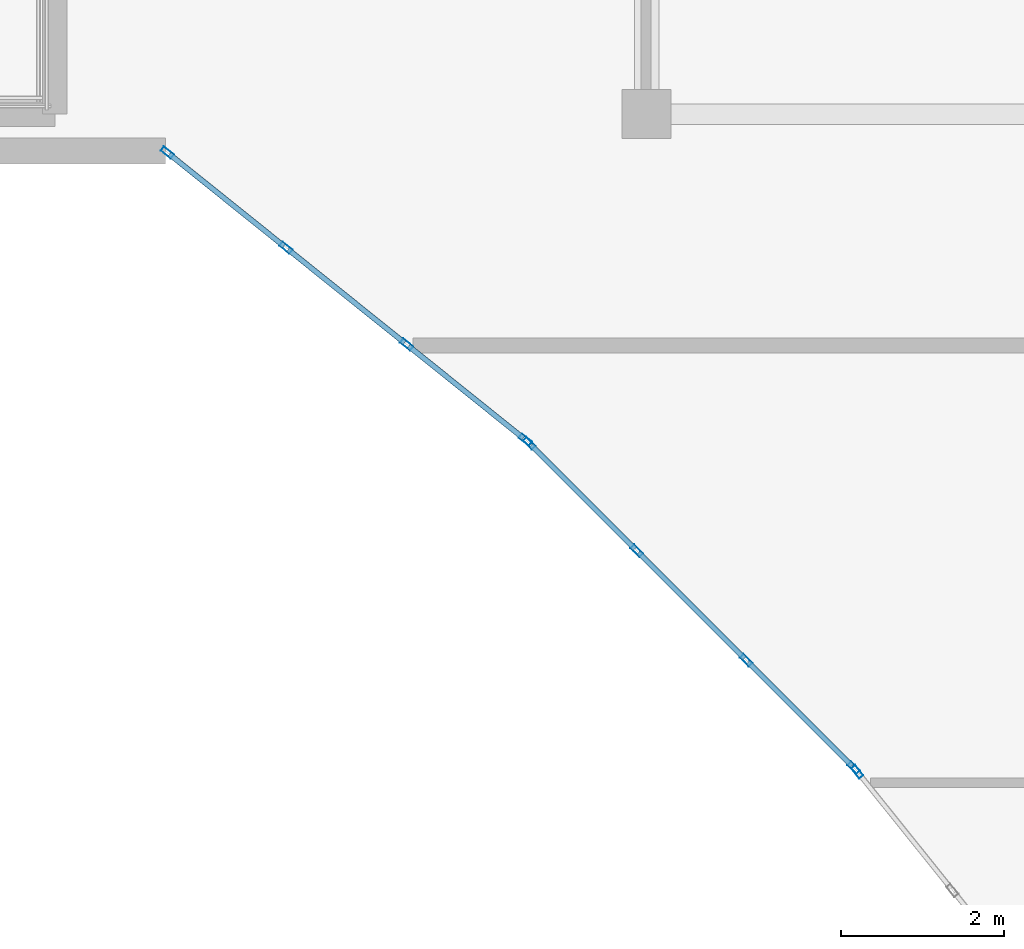
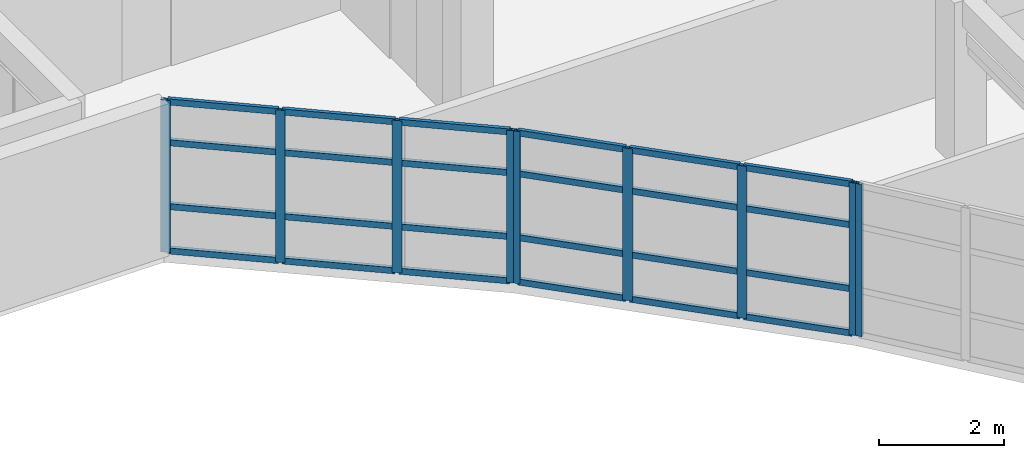
# One storey, part 19 of 76: 33 members, 3 elements without a shape of their own.
"""IFC4 building model written with IfcOpenShell, lengths in metres."""

import ifcopenshell
import ifcopenshell.guid

model = None  # the IFC model being written
_history = None  # IfcOwnerHistory: only IFC2X3 demands one
_inside = {}  # id of a spatial element -> (the spatial element, [elements in it])
_under = {}  # id of a project, library or spatial element -> (it, [spatial elements below it])
_declared = {}  # id of a project -> (the project, [libraries it declares])
_typed = {}  # id of a type object -> (the type object, [elements of that type])
_made_of = {}  # id of a material, layer set ... -> (it, [elements and type objects made of it])


def new_model(schema):
    """Start an empty IFC model of exactly this schema.

    Asked for "IFC4X3", IfcOpenShell would pick the latest addendum, in which some entities
    have other attributes; the version numbers below select the first issue.
    IFC2X3 requires an IfcOwnerHistory on every rooted entity: one is made here for all.
    """
    global model, _history
    if schema == "IFC4X3":
        model = ifcopenshell.file(schema_version=(4, 3, 0, 0))
    else:
        model = ifcopenshell.file(schema=schema)
    _inside.clear()
    _under.clear()
    _declared.clear()
    _typed.clear()
    _made_of.clear()
    _history = None
    if model.schema == "IFC2X3":
        org = make("IfcOrganization", Name="unknown")
        user = make(
            "IfcPersonAndOrganization",
            ThePerson=make("IfcPerson", FamilyName="unknown"),
            TheOrganization=org,
        )
        app = make(
            "IfcApplication",
            ApplicationDeveloper=org,
            Version="unknown",
            ApplicationFullName="unknown",
            ApplicationIdentifier="unknown",
        )
        _history = make(
            "IfcOwnerHistory",
            OwningUser=user,
            OwningApplication=app,
            ChangeAction="ADDED",
            CreationDate=0,
        )
    return model


def make(cls, **values):
    """One entity of the class cls with the attributes given. An attribute that is None is left unset."""
    return model.create_entity(
        cls, **{name: value for name, value in values.items() if value is not None}
    )


def rooted(cls, **values):
    """An entity with a GlobalId (a new one), such as an element, a storey or a relation."""
    return make(cls, GlobalId=ifcopenshell.guid.new(), OwnerHistory=_history, **values)


def si_unit(unit_type, name, prefix=None):
    """IfcSIUnit, for example si_unit("LENGTHUNIT", "METRE", prefix="MILLI")."""
    return make("IfcSIUnit", UnitType=unit_type, Prefix=prefix, Name=name)


def assignment(units):
    """IfcUnitAssignment: the units of a project."""
    return None if units is None else make("IfcUnitAssignment", Units=units)


def point(xyz):
    """IfcCartesianPoint."""
    return None if xyz is None else make("IfcCartesianPoint", Coordinates=xyz)


def direction(xyz):
    """IfcDirection."""
    return None if xyz is None else make("IfcDirection", DirectionRatios=xyz)


def frame(location, z_axis=None, x_axis=None):
    """IfcAxis2Placement3D, a coordinate frame: its origin and axes. An axis left out is left unset."""
    return make(
        "IfcAxis2Placement3D",
        Location=point(location),
        Axis=direction(z_axis),
        RefDirection=direction(x_axis),
    )


def frame_2d(location, x_axis=None):
    """IfcAxis2Placement2D, a coordinate frame in the plane: its origin and x axis."""
    return make(
        "IfcAxis2Placement2D", Location=point(location), RefDirection=direction(x_axis)
    )


def origin():
    """The frame at (0, 0, 0) with its axes left unset."""
    return frame((0.0, 0.0, 0.0))


def origin_2d():
    """The frame at (0, 0) in the plane with its x axis left unset."""
    return frame_2d((0.0, 0.0))


def place(relative_to, where):
    """IfcLocalPlacement: puts the frame where relative to a parent placement (None: the world)."""
    return make(
        "IfcLocalPlacement", PlacementRelTo=relative_to, RelativePlacement=where
    )


def context(
    kind, dimensions, precision=None, world=None, true_north=None, identifier=None
):
    """IfcGeometricRepresentationContext, for example the 3D "Model" context."""
    return make(
        "IfcGeometricRepresentationContext",
        ContextIdentifier=identifier,
        ContextType=kind,
        CoordinateSpaceDimension=dimensions,
        Precision=precision,
        WorldCoordinateSystem=world,
        TrueNorth=true_north,
    )


def subcontext(parent, identifier, kind, view, scale=None):
    """IfcGeometricRepresentationSubContext, for example "Body" below "Model"."""
    return make(
        "IfcGeometricRepresentationSubContext",
        ContextIdentifier=identifier,
        ContextType=kind,
        ParentContext=parent,
        TargetScale=scale,
        TargetView=view,
    )


def project(units=None, contexts=None):
    """IfcProject with its units and contexts."""
    return rooted(
        "IfcProject",
        Name="project",
        RepresentationContexts=contexts,
        UnitsInContext=assignment(units),
    )


def spatial(cls, under=None, at=None, **own):
    """A site, building, storey or space (cls), placed at a placement, below another one or the project."""
    s = rooted(cls, ObjectPlacement=at, **own)
    if under is not None:
        _under.setdefault(under.id(), (under, []))[1].append(s)
    return s


def profile(cls, at=None, kind="AREA", **sizes):
    """A parametric profile (cls). Its sizes go by their IFC names, for example OverallWidth=200.0."""
    return make(cls, ProfileType=kind, Position=at, **sizes)


def hollow_rectangle(**sizes):
    """IfcRectangleHollowProfileDef."""
    return profile("IfcRectangleHollowProfileDef", **sizes)


def extrude(swept, where, along, depth):
    """IfcExtrudedAreaSolid: the profile swept, set in the frame where, extruded along a direction by depth."""
    return make(
        "IfcExtrudedAreaSolid",
        SweptArea=swept,
        Position=where,
        ExtrudedDirection=direction(along),
        Depth=depth,
    )


def shape(context_of_items, identifier, shape_type, items):
    """IfcShapeRepresentation: the items that make up one representation, for example the "Body"."""
    return make(
        "IfcShapeRepresentation",
        ContextOfItems=context_of_items,
        RepresentationIdentifier=identifier,
        RepresentationType=shape_type,
        Items=items,
    )


def material(Name=None, Category=None):
    """IfcMaterial."""
    return make("IfcMaterial", Name=Name, Category=Category)


def layer(
    of_material, thickness, ventilated=None, Name=None, Category=None, Priority=None
):
    """IfcMaterialLayer: one layer of a wall or slab, of a material (None: an air gap)."""
    return make(
        "IfcMaterialLayer",
        Material=of_material,
        LayerThickness=thickness,
        IsVentilated=ventilated,
        Name=Name,
        Category=Category,
        Priority=Priority,
    )


def layer_set(layers, Name=None):
    """IfcMaterialLayerSet."""
    return make("IfcMaterialLayerSet", MaterialLayers=layers, LayerSetName=Name)


def material_profile(
    of_material, cross_section, Name=None, Category=None, Priority=None
):
    """IfcMaterialProfile: a cross section and its material."""
    return make(
        "IfcMaterialProfile",
        Name=Name,
        Material=of_material,
        Profile=cross_section,
        Priority=Priority,
        Category=Category,
    )


def profile_set(profiles, Name=None, composite=None):
    """IfcMaterialProfileSet."""
    return make(
        "IfcMaterialProfileSet",
        Name=Name,
        MaterialProfiles=profiles,
        CompositeProfile=composite,
    )


def made_of(thing, what):
    """Note that an element or type object is made of a material, layer set ...; save() writes the relation."""
    if what is not None:
        _made_of.setdefault(what.id(), (what, []))[1].append(thing)
    return thing


def type_object(cls, material=None, **own):
    """A type object (cls), such as IfcWallType, which elements share."""
    return made_of(rooted(cls, **own), material)


def element(
    cls,
    number,
    at=None,
    inside=None,
    cuts=None,
    type_object=None,
    material=None,
    context=None,
    identifier="Body",
    shape_type=None,
    held_by="IfcProductDefinitionShape",
    body=None,
    shapes=None,
    **own,
):
    """One element of the class cls, such as IfcWall. Its Tag is "e" and its number.

    at: its placement. inside: the storey or other place that contains it. cuts: it is an
    opening in that element (IfcRelVoidsElement). A single representation is given by context,
    identifier, shape_type and body (its items); several are given by shapes. held_by: the class
    of the entity that holds the representations. save() writes the other relations.
    """
    e = rooted(cls, Tag="e%d" % number, ObjectPlacement=at, **own)
    if body is not None:
        shapes = [shape(context, identifier, shape_type, body)]
    if shapes is not None:
        e.Representation = make(held_by, Representations=shapes)
    if inside is not None:
        _inside.setdefault(inside.id(), (inside, []))[1].append(e)
    if cuts is not None:
        rooted(
            "IfcRelVoidsElement", RelatingBuildingElement=cuts, RelatedOpeningElement=e
        )
    if type_object is not None:
        _typed.setdefault(type_object.id(), (type_object, []))[1].append(e)
    return made_of(e, material)


def aggregate(whole, parts):
    """IfcRelAggregates: a whole, such as a stair, and the parts it consists of."""
    return rooted("IfcRelAggregates", RelatingObject=whole, RelatedObjects=parts)


def save(model, path):
    """Write the relations noted so far, then the file.

    IfcRelAggregates (storeys below a building ...), IfcRelContainedInSpatialStructure (elements
    in a storey), IfcRelDefinesByType, IfcRelAssociatesMaterial and IfcRelDeclares: one each for
    every whole, place, type object, material and project.
    """
    for whole, parts in _under.values():
        aggregate(whole, parts)
    for where, things in _inside.values():
        rooted(
            "IfcRelContainedInSpatialStructure",
            RelatedElements=things,
            RelatingStructure=where,
        )
    for kind, things in _typed.values():
        rooted("IfcRelDefinesByType", RelatedObjects=things, RelatingType=kind)
    for what, things in _made_of.values():
        rooted("IfcRelAssociatesMaterial", RelatedObjects=things, RelatingMaterial=what)
    for by, libraries in _declared.values():
        rooted("IfcRelDeclares", RelatingContext=by, RelatedDefinitions=libraries)
    model.write(path)


model = new_model("IFC4")

# Units and contexts
model_context = context("Model", 3, precision=1e-05, world=origin(), true_north=direction((0.0, 1.0)))
body_context = subcontext(model_context, "Body", "Model", "MODEL_VIEW")
ifc_project = project(units=[si_unit("LENGTHUNIT", "METRE"), si_unit("AREAUNIT", "SQUARE_METRE"), si_unit("VOLUMEUNIT", "CUBIC_METRE"), si_unit("PLANEANGLEUNIT", "RADIAN"), si_unit("MASSUNIT", "GRAM", prefix="KILO")], contexts=[model_context])

# Site, building, storey
site_placement = place(None, origin())
site = spatial("IfcSite", under=ifc_project, at=site_placement, CompositionType="ELEMENT")
building_placement = place(site_placement, origin())
building = spatial("IfcBuilding", under=site, at=building_placement, Name="Keldmere Railside Commons", CompositionType="ELEMENT")
storey_placement = place(building_placement, frame((0.0, 0.0, 13.760009765625)))
storey = spatial("IfcBuildingStorey", under=building, at=storey_placement, Name="L04", CompositionType="ELEMENT", Elevation=13.760009765625)

# Curtain wall, members
ifc_material = material(Name="Thermally Broken Aluminium", Category="aluminium")
ifc_layer_1 = layer(ifc_material, 0.159912109375, Name="Court Chord Wintergarden CW 5400x2850")
ifc_layer_set_1 = layer_set([ifc_layer_1], Name="Thermally Broken Aluminium")
curtain_wall_type_1 = type_object("IfcCurtainWallType", Name="Court Chord Wintergarden CW 5400x2850", PredefinedType="NOTDEFINED", material=ifc_layer_set_1)
curtain_wall_1_placement = place(storey_placement, origin())
curtain_wall_1 = element("IfcCurtainWall", 1, at=curtain_wall_1_placement, inside=storey, type_object=curtain_wall_type_1, Name="CW-13 CW-L04-169", PredefinedType="NOTDEFINED")
ifc_material_profile_1 = material_profile(ifc_material, hollow_rectangle(XDim=0.06494140625, YDim=0.159912109375, WallThickness=0.00390625, at=origin_2d()), Name="ALU-MULL-65x160")
ifc_profile_set_1 = profile_set([ifc_material_profile_1], Name="Thermally Broken Aluminium")
member_type_1 = type_object("IfcMemberType", Name="Unitised Curtain Wall Mullion 65x160", PredefinedType="MULLION", material=ifc_profile_set_1)
member_1_placement = place(storey_placement, frame((160.404541015625, 96.46630859375, 0.0), z_axis=(0.0, 0.0, 1.0), x_axis=(-0.625768080915, -0.780009172323, 0.0)))
member_1 = element("IfcMember", 2, at=member_1_placement, type_object=member_type_1, Name="CW-13 mullion 1", PredefinedType="MULLION", context=body_context, shape_type="SweptSolid", body=[
    extrude(hollow_rectangle(XDim=0.06494140625, YDim=0.159912109375, WallThickness=0.00390625, at=origin_2d()), origin(), (0.0, 0.0, 1.0), 2.97998046875),
])
member_2_placement = place(storey_placement, frame((158.953369140625, 97.630615234375, 0.0), z_axis=(0.0, 0.0, 1.0), x_axis=(-0.625768080915, -0.780009172323, 0.0)))
member_2 = element("IfcMember", 3, at=member_2_placement, type_object=member_type_1, Name="CW-13 mullion 2", PredefinedType="MULLION", context=body_context, shape_type="SweptSolid", body=[
    extrude(hollow_rectangle(XDim=0.06494140625, YDim=0.159912109375, WallThickness=0.00390625, at=origin_2d()), origin(), (0.0, 0.0, 1.0), 2.97998046875),
])
member_3_placement = place(storey_placement, frame((157.4765625, 98.8154296875, 0.0), z_axis=(0.0, 0.0, 1.0), x_axis=(-0.625768080915, -0.780009172323, 0.0)))
member_3 = element("IfcMember", 4, at=member_3_placement, type_object=member_type_1, Name="CW-13 mullion 3", PredefinedType="MULLION", context=body_context, shape_type="SweptSolid", body=[
    extrude(hollow_rectangle(XDim=0.06494140625, YDim=0.159912109375, WallThickness=0.00390625, at=origin_2d()), origin(), (0.0, 0.0, 1.0), 2.97998046875),
])
member_4_placement = place(storey_placement, frame((156.025390625, 99.979736328125, 0.0), z_axis=(0.0, 0.0, 1.0), x_axis=(-0.625768080915, -0.780009172323, 0.0)))
member_4 = element("IfcMember", 5, at=member_4_placement, type_object=member_type_1, Name="CW-13 mullion 4", PredefinedType="MULLION", context=body_context, shape_type="SweptSolid", body=[
    extrude(hollow_rectangle(XDim=0.06494140625, YDim=0.159912109375, WallThickness=0.00390625, at=origin_2d()), origin(), (0.0, 0.0, 1.0), 2.97998046875),
])

ifc_layer_2 = layer(ifc_material, 0.159912109375, Name="Court Chord Wintergarden CW 4800x2850")
ifc_layer_set_2 = layer_set([ifc_layer_2], Name="Thermally Broken Aluminium")
curtain_wall_type_2 = type_object("IfcCurtainWallType", Name="Court Chord Wintergarden CW 4800x2850", PredefinedType="NOTDEFINED", material=ifc_layer_set_2)
curtain_wall_2_placement = place(storey_placement, origin())
curtain_wall_2 = element("IfcCurtainWall", 6, at=curtain_wall_2_placement, inside=storey, type_object=curtain_wall_type_2, Name="CW-12 CW-L04-170", PredefinedType="NOTDEFINED")
member_5_placement = place(storey_placement, frame((164.423095703125, 92.452880859375, 0.0), z_axis=(0.0, 0.0, 1.0), x_axis=(-0.707106781187, -0.707106781187, 0.0)))
member_5 = element("IfcMember", 7, at=member_5_placement, type_object=member_type_1, Name="CW-12 mullion 1", PredefinedType="MULLION", context=body_context, shape_type="SweptSolid", body=[
    extrude(hollow_rectangle(XDim=0.06494140625, YDim=0.159912109375, WallThickness=0.00390625, at=origin_2d()), origin(), (0.0, 0.0, 1.0), 2.97998046875),
])
member_6_placement = place(storey_placement, frame((163.107421875, 93.7685546875, 0.0), z_axis=(0.0, 0.0, 1.0), x_axis=(-0.707106781187, -0.707106781187, 0.0)))
member_6 = element("IfcMember", 8, at=member_6_placement, type_object=member_type_1, Name="CW-12 mullion 2", PredefinedType="MULLION", context=body_context, shape_type="SweptSolid", body=[
    extrude(hollow_rectangle(XDim=0.06494140625, YDim=0.159912109375, WallThickness=0.00390625, at=origin_2d()), origin(), (0.0, 0.0, 1.0), 2.97998046875),
])
member_7_placement = place(storey_placement, frame((161.7685546875, 95.107421875, 0.0), z_axis=(0.0, 0.0, 1.0), x_axis=(-0.707106781187, -0.707106781187, 0.0)))
member_7 = element("IfcMember", 9, at=member_7_placement, type_object=member_type_1, Name="CW-12 mullion 3", PredefinedType="MULLION", context=body_context, shape_type="SweptSolid", body=[
    extrude(hollow_rectangle(XDim=0.06494140625, YDim=0.159912109375, WallThickness=0.00390625, at=origin_2d()), origin(), (0.0, 0.0, 1.0), 2.97998046875),
])
member_8_placement = place(storey_placement, frame((160.452880859375, 96.423095703125, 0.0), z_axis=(0.0, 0.0, 1.0), x_axis=(-0.707106781187, -0.707106781187, 0.0)))
member_8 = element("IfcMember", 10, at=member_8_placement, type_object=member_type_1, Name="CW-12 mullion 4", PredefinedType="MULLION", context=body_context, shape_type="SweptSolid", body=[
    extrude(hollow_rectangle(XDim=0.06494140625, YDim=0.159912109375, WallThickness=0.00390625, at=origin_2d()), origin(), (0.0, 0.0, 1.0), 2.97998046875),
])

# Curtain wall, member
curtain_wall_3_placement = place(storey_placement, origin())
curtain_wall_3 = element("IfcCurtainWall", 11, at=curtain_wall_3_placement, inside=storey, type_object=curtain_wall_type_1, Name="CW-13 CW-L04-171", PredefinedType="NOTDEFINED")
member_9_placement = place(storey_placement, frame((164.46630859375, 92.404541015625, 0.0), z_axis=(0.0, 0.0, 1.0), x_axis=(-0.780009172323, -0.625768080915, 0.0)))
member_9 = element("IfcMember", 12, at=member_9_placement, type_object=member_type_1, Name="CW-13 mullion 4", PredefinedType="MULLION", context=body_context, shape_type="SweptSolid", body=[
    extrude(hollow_rectangle(XDim=0.06494140625, YDim=0.159912109375, WallThickness=0.00390625, at=origin_2d()), origin(), (0.0, 0.0, 1.0), 2.97998046875),
])
aggregate(curtain_wall_3, [member_9])

# Member
ifc_material_profile_2 = material_profile(ifc_material, hollow_rectangle(XDim=0.06494140625, YDim=0.1201171875, WallThickness=0.00390625, at=origin_2d()), Name="ALU-TRAN-65x120")
ifc_profile_set_2 = profile_set([ifc_material_profile_2], Name="Thermally Broken Aluminium")
member_type_2 = type_object("IfcMemberType", Name="Unitised Curtain Wall Transom 65x120", PredefinedType="USERDEFINED", material=ifc_profile_set_2)
member_10_placement = place(storey_placement, frame((160.37939453125, 96.486572265625, 0.032470703125), z_axis=(-0.779979331565, 0.625805275091, 0.0), x_axis=(-0.625805275091, -0.779979331565, 0.0)))
member_10 = element("IfcMember", 13, at=member_10_placement, type_object=member_type_2, Name="CW-13 transom 1.1", ObjectType="TRANSOM", PredefinedType="USERDEFINED", context=body_context, shape_type="SweptSolid", body=[
    extrude(hollow_rectangle(XDim=0.06494140625, YDim=0.1201171875, WallThickness=0.00390625, at=origin_2d()), origin(), (0.0, 0.0, 1.0), 1.795654296875),
])

member_11_placement = place(storey_placement, frame((160.37939453125, 96.486572265625, 0.89990234375), z_axis=(-0.779979331565, 0.625805275091, 0.0), x_axis=(-0.625805275091, -0.779979331565, 0.0)))
member_11 = element("IfcMember", 14, at=member_11_placement, type_object=member_type_2, Name="CW-13 transom 1.2", ObjectType="TRANSOM", PredefinedType="USERDEFINED", context=body_context, shape_type="SweptSolid", body=[
    extrude(hollow_rectangle(XDim=0.06494140625, YDim=0.1201171875, WallThickness=0.00390625, at=origin_2d()), origin(), (0.0, 0.0, 1.0), 1.795654296875),
])

member_12_placement = place(storey_placement, frame((160.37939453125, 96.486572265625, 2.14990234375), z_axis=(-0.779979331565, 0.625805275091, 0.0), x_axis=(-0.625805275091, -0.779979331565, 0.0)))
member_12 = element("IfcMember", 15, at=member_12_placement, type_object=member_type_2, Name="CW-13 transom 1.3", ObjectType="TRANSOM", PredefinedType="USERDEFINED", context=body_context, shape_type="SweptSolid", body=[
    extrude(hollow_rectangle(XDim=0.06494140625, YDim=0.1201171875, WallThickness=0.00390625, at=origin_2d()), origin(), (0.0, 0.0, 1.0), 1.795654296875),
])

member_13_placement = place(storey_placement, frame((160.37939453125, 96.486572265625, 2.947509765625), z_axis=(-0.779979331565, 0.625805275091, 0.0), x_axis=(-0.625805275091, -0.779979331565, 0.0)))
member_13 = element("IfcMember", 16, at=member_13_placement, type_object=member_type_2, Name="CW-13 transom 1.4", ObjectType="TRANSOM", PredefinedType="USERDEFINED", context=body_context, shape_type="SweptSolid", body=[
    extrude(hollow_rectangle(XDim=0.06494140625, YDim=0.1201171875, WallThickness=0.00390625, at=origin_2d()), origin(), (0.0, 0.0, 1.0), 1.795654296875),
])

member_14_placement = place(storey_placement, frame((158.927978515625, 97.651123046875, 0.032470703125), z_axis=(-0.78007338409, 0.625688033635, 0.0), x_axis=(-0.625688033635, -0.78007338409, 0.0)))
member_14 = element("IfcMember", 17, at=member_14_placement, type_object=member_type_2, Name="CW-13 transom 2.1", ObjectType="TRANSOM", PredefinedType="USERDEFINED", context=body_context, shape_type="SweptSolid", body=[
    extrude(hollow_rectangle(XDim=0.06494140625, YDim=0.1201171875, WallThickness=0.00390625, at=origin_2d()), origin(), (0.0, 0.0, 1.0), 1.828125),
])

member_15_placement = place(storey_placement, frame((158.927978515625, 97.651123046875, 0.89990234375), z_axis=(-0.78007338409, 0.625688033635, 0.0), x_axis=(-0.625688033635, -0.78007338409, 0.0)))
member_15 = element("IfcMember", 18, at=member_15_placement, type_object=member_type_2, Name="CW-13 transom 2.2", ObjectType="TRANSOM", PredefinedType="USERDEFINED", context=body_context, shape_type="SweptSolid", body=[
    extrude(hollow_rectangle(XDim=0.06494140625, YDim=0.1201171875, WallThickness=0.00390625, at=origin_2d()), origin(), (0.0, 0.0, 1.0), 1.828125),
])

member_16_placement = place(storey_placement, frame((158.927978515625, 97.651123046875, 2.14990234375), z_axis=(-0.78007338409, 0.625688033635, 0.0), x_axis=(-0.625688033635, -0.78007338409, 0.0)))
member_16 = element("IfcMember", 19, at=member_16_placement, type_object=member_type_2, Name="CW-13 transom 2.3", ObjectType="TRANSOM", PredefinedType="USERDEFINED", context=body_context, shape_type="SweptSolid", body=[
    extrude(hollow_rectangle(XDim=0.06494140625, YDim=0.1201171875, WallThickness=0.00390625, at=origin_2d()), origin(), (0.0, 0.0, 1.0), 1.828125),
])

member_17_placement = place(storey_placement, frame((158.927978515625, 97.651123046875, 2.947509765625), z_axis=(-0.78007338409, 0.625688033635, 0.0), x_axis=(-0.625688033635, -0.78007338409, 0.0)))
member_17 = element("IfcMember", 20, at=member_17_placement, type_object=member_type_2, Name="CW-13 transom 2.4", ObjectType="TRANSOM", PredefinedType="USERDEFINED", context=body_context, shape_type="SweptSolid", body=[
    extrude(hollow_rectangle(XDim=0.06494140625, YDim=0.1201171875, WallThickness=0.00390625, at=origin_2d()), origin(), (0.0, 0.0, 1.0), 1.828125),
])

member_18_placement = place(storey_placement, frame((157.451416015625, 98.835693359375, 0.032470703125), z_axis=(-0.780045694992, 0.625722553313, 0.0), x_axis=(-0.625722553313, -0.780045694992, 0.0)))
member_18 = element("IfcMember", 21, at=member_18_placement, type_object=member_type_2, Name="CW-13 transom 3.1", ObjectType="TRANSOM", PredefinedType="USERDEFINED", context=body_context, shape_type="SweptSolid", body=[
    extrude(hollow_rectangle(XDim=0.06494140625, YDim=0.1201171875, WallThickness=0.00390625, at=origin_2d()), origin(), (0.0, 0.0, 1.0), 1.795654296875),
])

member_19_placement = place(storey_placement, frame((157.451416015625, 98.835693359375, 0.89990234375), z_axis=(-0.780045694992, 0.625722553313, 0.0), x_axis=(-0.625722553313, -0.780045694992, 0.0)))
member_19 = element("IfcMember", 22, at=member_19_placement, type_object=member_type_2, Name="CW-13 transom 3.2", ObjectType="TRANSOM", PredefinedType="USERDEFINED", context=body_context, shape_type="SweptSolid", body=[
    extrude(hollow_rectangle(XDim=0.06494140625, YDim=0.1201171875, WallThickness=0.00390625, at=origin_2d()), origin(), (0.0, 0.0, 1.0), 1.795654296875),
])

member_20_placement = place(storey_placement, frame((157.451416015625, 98.835693359375, 2.14990234375), z_axis=(-0.780045694992, 0.625722553313, 0.0), x_axis=(-0.625722553313, -0.780045694992, 0.0)))
member_20 = element("IfcMember", 23, at=member_20_placement, type_object=member_type_2, Name="CW-13 transom 3.3", ObjectType="TRANSOM", PredefinedType="USERDEFINED", context=body_context, shape_type="SweptSolid", body=[
    extrude(hollow_rectangle(XDim=0.06494140625, YDim=0.1201171875, WallThickness=0.00390625, at=origin_2d()), origin(), (0.0, 0.0, 1.0), 1.795654296875),
])

member_21_placement = place(storey_placement, frame((157.451416015625, 98.835693359375, 2.947509765625), z_axis=(-0.780045694992, 0.625722553313, 0.0), x_axis=(-0.625722553313, -0.780045694992, 0.0)))
member_21 = element("IfcMember", 24, at=member_21_placement, type_object=member_type_2, Name="CW-13 transom 3.4", ObjectType="TRANSOM", PredefinedType="USERDEFINED", context=body_context, shape_type="SweptSolid", body=[
    extrude(hollow_rectangle(XDim=0.06494140625, YDim=0.1201171875, WallThickness=0.00390625, at=origin_2d()), origin(), (0.0, 0.0, 1.0), 1.795654296875),
])

aggregate(curtain_wall_1, [member_1, member_2, member_3, member_4, member_10, member_11, member_12, member_13, member_14, member_15, member_16, member_17, member_18, member_19, member_20, member_21])

member_22_placement = place(storey_placement, frame((164.400146484375, 92.47607421875, 0.032470703125), z_axis=(-0.707174762418, 0.707038793419, 0.0), x_axis=(-0.707038793419, -0.707174762418, 0.0)))
member_22 = element("IfcMember", 25, at=member_22_placement, type_object=member_type_2, Name="CW-12 transom 1.1", ObjectType="TRANSOM", PredefinedType="USERDEFINED", context=body_context, shape_type="SweptSolid", body=[
    extrude(hollow_rectangle(XDim=0.06494140625, YDim=0.1201171875, WallThickness=0.00390625, at=origin_2d()), origin(), (0.0, 0.0, 1.0), 1.795654296875),
])

member_23_placement = place(storey_placement, frame((164.400146484375, 92.47607421875, 0.89990234375), z_axis=(-0.707174762418, 0.707038793419, 0.0), x_axis=(-0.707038793419, -0.707174762418, 0.0)))
member_23 = element("IfcMember", 26, at=member_23_placement, type_object=member_type_2, Name="CW-12 transom 1.2", ObjectType="TRANSOM", PredefinedType="USERDEFINED", context=body_context, shape_type="SweptSolid", body=[
    extrude(hollow_rectangle(XDim=0.06494140625, YDim=0.1201171875, WallThickness=0.00390625, at=origin_2d()), origin(), (0.0, 0.0, 1.0), 1.795654296875),
])

member_24_placement = place(storey_placement, frame((164.400146484375, 92.47607421875, 2.14990234375), z_axis=(-0.707174762418, 0.707038793419, 0.0), x_axis=(-0.707038793419, -0.707174762418, 0.0)))
member_24 = element("IfcMember", 27, at=member_24_placement, type_object=member_type_2, Name="CW-12 transom 1.3", ObjectType="TRANSOM", PredefinedType="USERDEFINED", context=body_context, shape_type="SweptSolid", body=[
    extrude(hollow_rectangle(XDim=0.06494140625, YDim=0.1201171875, WallThickness=0.00390625, at=origin_2d()), origin(), (0.0, 0.0, 1.0), 1.795654296875),
])

member_25_placement = place(storey_placement, frame((164.400146484375, 92.47607421875, 2.947509765625), z_axis=(-0.707174762418, 0.707038793419, 0.0), x_axis=(-0.707038793419, -0.707174762418, 0.0)))
member_25 = element("IfcMember", 28, at=member_25_placement, type_object=member_type_2, Name="CW-12 transom 1.4", ObjectType="TRANSOM", PredefinedType="USERDEFINED", context=body_context, shape_type="SweptSolid", body=[
    extrude(hollow_rectangle(XDim=0.06494140625, YDim=0.1201171875, WallThickness=0.00390625, at=origin_2d()), origin(), (0.0, 0.0, 1.0), 1.795654296875),
])

member_26_placement = place(storey_placement, frame((163.08447265625, 93.791748046875, 0.032470703125), z_axis=(-0.707106781187, 0.707106781187, 0.0), x_axis=(-0.707106781187, -0.707106781187, 0.0)))
member_26 = element("IfcMember", 29, at=member_26_placement, type_object=member_type_2, Name="CW-12 transom 2.1", ObjectType="TRANSOM", PredefinedType="USERDEFINED", context=body_context, shape_type="SweptSolid", body=[
    extrude(hollow_rectangle(XDim=0.06494140625, YDim=0.1201171875, WallThickness=0.00390625, at=origin_2d()), origin(), (0.0, 0.0, 1.0), 1.828125),
])

member_27_placement = place(storey_placement, frame((163.08447265625, 93.791748046875, 0.89990234375), z_axis=(-0.707106781187, 0.707106781187, 0.0), x_axis=(-0.707106781187, -0.707106781187, 0.0)))
member_27 = element("IfcMember", 30, at=member_27_placement, type_object=member_type_2, Name="CW-12 transom 2.2", ObjectType="TRANSOM", PredefinedType="USERDEFINED", context=body_context, shape_type="SweptSolid", body=[
    extrude(hollow_rectangle(XDim=0.06494140625, YDim=0.1201171875, WallThickness=0.00390625, at=origin_2d()), origin(), (0.0, 0.0, 1.0), 1.828125),
])

member_28_placement = place(storey_placement, frame((163.08447265625, 93.791748046875, 2.14990234375), z_axis=(-0.707106781187, 0.707106781187, 0.0), x_axis=(-0.707106781187, -0.707106781187, 0.0)))
member_28 = element("IfcMember", 31, at=member_28_placement, type_object=member_type_2, Name="CW-12 transom 2.3", ObjectType="TRANSOM", PredefinedType="USERDEFINED", context=body_context, shape_type="SweptSolid", body=[
    extrude(hollow_rectangle(XDim=0.06494140625, YDim=0.1201171875, WallThickness=0.00390625, at=origin_2d()), origin(), (0.0, 0.0, 1.0), 1.828125),
])

member_29_placement = place(storey_placement, frame((163.08447265625, 93.791748046875, 2.947509765625), z_axis=(-0.707106781187, 0.707106781187, 0.0), x_axis=(-0.707106781187, -0.707106781187, 0.0)))
member_29 = element("IfcMember", 32, at=member_29_placement, type_object=member_type_2, Name="CW-12 transom 2.4", ObjectType="TRANSOM", PredefinedType="USERDEFINED", context=body_context, shape_type="SweptSolid", body=[
    extrude(hollow_rectangle(XDim=0.06494140625, YDim=0.1201171875, WallThickness=0.00390625, at=origin_2d()), origin(), (0.0, 0.0, 1.0), 1.828125),
])

member_30_placement = place(storey_placement, frame((161.74560546875, 95.13037109375, 0.032470703125), z_axis=(-0.707038793419, 0.707174762418, 0.0), x_axis=(-0.707174762418, -0.707038793419, 0.0)))
member_30 = element("IfcMember", 33, at=member_30_placement, type_object=member_type_2, Name="CW-12 transom 3.1", ObjectType="TRANSOM", PredefinedType="USERDEFINED", context=body_context, shape_type="SweptSolid", body=[
    extrude(hollow_rectangle(XDim=0.06494140625, YDim=0.1201171875, WallThickness=0.00390625, at=origin_2d()), origin(), (0.0, 0.0, 1.0), 1.795654296875),
])

member_31_placement = place(storey_placement, frame((161.74560546875, 95.13037109375, 0.89990234375), z_axis=(-0.707038793419, 0.707174762418, 0.0), x_axis=(-0.707174762418, -0.707038793419, 0.0)))
member_31 = element("IfcMember", 34, at=member_31_placement, type_object=member_type_2, Name="CW-12 transom 3.2", ObjectType="TRANSOM", PredefinedType="USERDEFINED", context=body_context, shape_type="SweptSolid", body=[
    extrude(hollow_rectangle(XDim=0.06494140625, YDim=0.1201171875, WallThickness=0.00390625, at=origin_2d()), origin(), (0.0, 0.0, 1.0), 1.795654296875),
])

member_32_placement = place(storey_placement, frame((161.74560546875, 95.13037109375, 2.14990234375), z_axis=(-0.707038793419, 0.707174762418, 0.0), x_axis=(-0.707174762418, -0.707038793419, 0.0)))
member_32 = element("IfcMember", 35, at=member_32_placement, type_object=member_type_2, Name="CW-12 transom 3.3", ObjectType="TRANSOM", PredefinedType="USERDEFINED", context=body_context, shape_type="SweptSolid", body=[
    extrude(hollow_rectangle(XDim=0.06494140625, YDim=0.1201171875, WallThickness=0.00390625, at=origin_2d()), origin(), (0.0, 0.0, 1.0), 1.795654296875),
])

member_33_placement = place(storey_placement, frame((161.74560546875, 95.13037109375, 2.947509765625), z_axis=(-0.707038793419, 0.707174762418, 0.0), x_axis=(-0.707174762418, -0.707038793419, 0.0)))
member_33 = element("IfcMember", 36, at=member_33_placement, type_object=member_type_2, Name="CW-12 transom 3.4", ObjectType="TRANSOM", PredefinedType="USERDEFINED", context=body_context, shape_type="SweptSolid", body=[
    extrude(hollow_rectangle(XDim=0.06494140625, YDim=0.1201171875, WallThickness=0.00390625, at=origin_2d()), origin(), (0.0, 0.0, 1.0), 1.795654296875),
])

aggregate(curtain_wall_2, [member_5, member_6, member_7, member_8, member_22, member_23, member_24, member_25, member_26, member_27, member_28, member_29, member_30, member_31, member_32, member_33])

save(model, "model.ifc")
